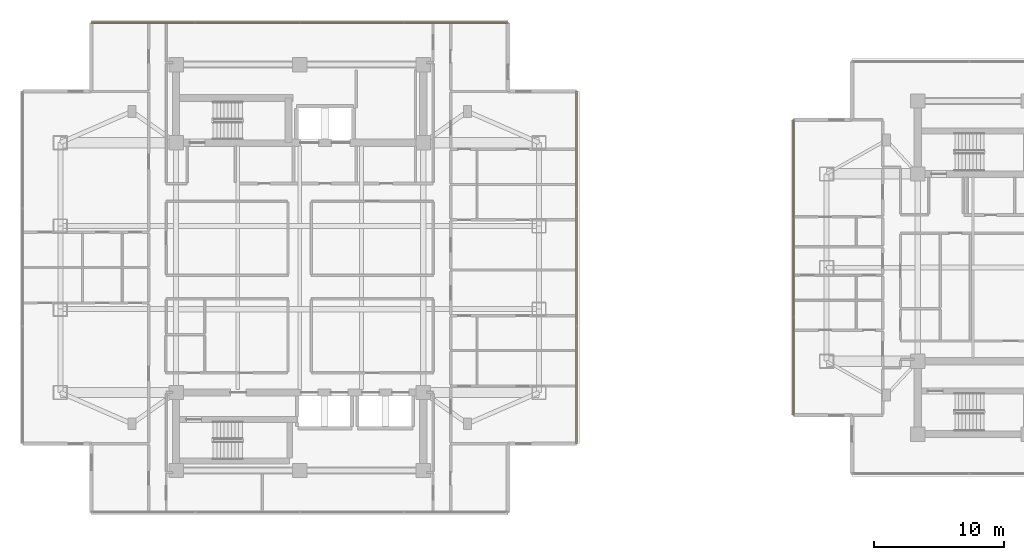
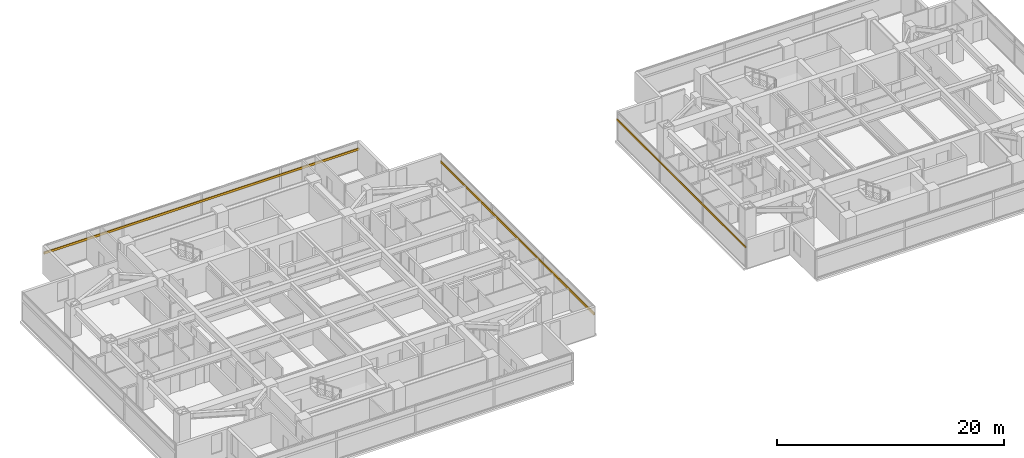
# One storey, part 21 of 24: 3 shading devices.
"""IFC4 building model written with IfcOpenShell, lengths in metres."""

from ifc_helpers import new_model, si_unit, direction, frame, origin, origin_2d, place, context, subcontext, project, spatial, rectangle, extrude, material, material_profile, profile_set, type_object, element, save


model = new_model("IFC4")

# Units and contexts
model_context = context("Model", 3, precision=1e-05, world=origin(), true_north=direction((0.0, 1.0)))
body_context = subcontext(model_context, "Body", "Model", "MODEL_VIEW")
ifc_project = project(units=[si_unit("LENGTHUNIT", "METRE"), si_unit("AREAUNIT", "SQUARE_METRE"), si_unit("VOLUMEUNIT", "CUBIC_METRE"), si_unit("PLANEANGLEUNIT", "RADIAN"), si_unit("MASSUNIT", "GRAM", prefix="KILO")], contexts=[model_context])

# Site, building, storey
site_placement = place(None, origin())
site = spatial("IfcSite", under=ifc_project, at=site_placement, CompositionType="ELEMENT")
building_placement = place(site_placement, origin())
building = spatial("IfcBuilding", under=site, at=building_placement, Name="Mirazonda Arch Towers", CompositionType="ELEMENT")
storey_placement = place(building_placement, frame((0.0, 0.0, 134.60009765625)))
storey = spatial("IfcBuildingStorey", under=building, at=storey_placement, Name="L38", CompositionType="ELEMENT", Elevation=134.60009765625)

# Shading devices
ifc_material = material(Name="Kiln-Fired Architectural Terracotta", Category="masonry")
ifc_material_profile_1 = material_profile(ifc_material, rectangle(XDim=0.1201171875, YDim=0.239990234375, at=origin_2d()), Name="TERRA-BAG-120x240")
ifc_profile_set_1 = profile_set([ifc_material_profile_1], Name="Kiln-Fired Architectural Terracotta")
shading_device_type_1 = type_object("IfcShadingDeviceType", Name="BAGUETTE-1", PredefinedType="USERDEFINED", material=ifc_profile_set_1)
shading_device_1_placement = place(storey_placement, frame((41.780029296875, 14.4599609375, 2.203125), z_axis=(0.0, 1.0, 0.0), x_axis=(-1.0, 0.0, 0.0)))
element("IfcShadingDevice", 1, at=shading_device_1_placement, inside=storey, type_object=shading_device_type_1, Name="L38 Glazed Terracotta Sun-Screen Baguette CW-L38-T1-E", ObjectType="BAGUETTE", PredefinedType="USERDEFINED", context=body_context, shape_type="SweptSolid", body=[
    extrude(rectangle(XDim=0.1201171875, YDim=0.239990234375, at=origin_2d()), origin(), (0.0, 0.0, 1.0), 27.080078125),
])
shading_device_2_placement = place(storey_placement, frame((4.489990234375, 46.81005859375, 2.203125), z_axis=(1.0, 0.0, 0.0), x_axis=(0.0, 1.0, 0.0)))
element("IfcShadingDevice", 2, at=shading_device_2_placement, inside=storey, type_object=shading_device_type_1, Name="L38 Glazed Terracotta Sun-Screen Baguette CW-L38-T1-N", ObjectType="BAGUETTE", PredefinedType="USERDEFINED", context=body_context, shape_type="SweptSolid", body=[
    extrude(rectangle(XDim=0.1201171875, YDim=0.239990234375, at=origin_2d()), origin(), (0.0, 0.0, 1.0), 32.02001953125),
])
ifc_material_profile_2 = material_profile(ifc_material, rectangle(XDim=0.10009765625, YDim=0.199951171875, at=origin_2d()), Name="TERRA-BAG-100x200")
ifc_profile_set_2 = profile_set([ifc_material_profile_2], Name="Kiln-Fired Architectural Terracotta")
shading_device_type_2 = type_object("IfcShadingDeviceType", Name="BAGUETTE-2", PredefinedType="USERDEFINED", material=ifc_profile_set_2)
shading_device_3_placement = place(storey_placement, frame((58.465087890625, 39.34912109375, 2.203125), z_axis=(0.0, -1.0, 0.0), x_axis=(1.0, 0.0, 0.0)))
element("IfcShadingDevice", 3, at=shading_device_3_placement, inside=storey, type_object=shading_device_type_2, Name="L38 Glazed Terracotta Sun-Screen Baguette CW-L38-T2-W", ObjectType="BAGUETTE", PredefinedType="USERDEFINED", context=body_context, shape_type="SweptSolid", body=[
    extrude(rectangle(XDim=0.10009765625, YDim=0.199951171875, at=origin_2d()), origin(), (0.0, 0.0, 1.0), 22.6982421875),
])

save(model, "model.ifc")
